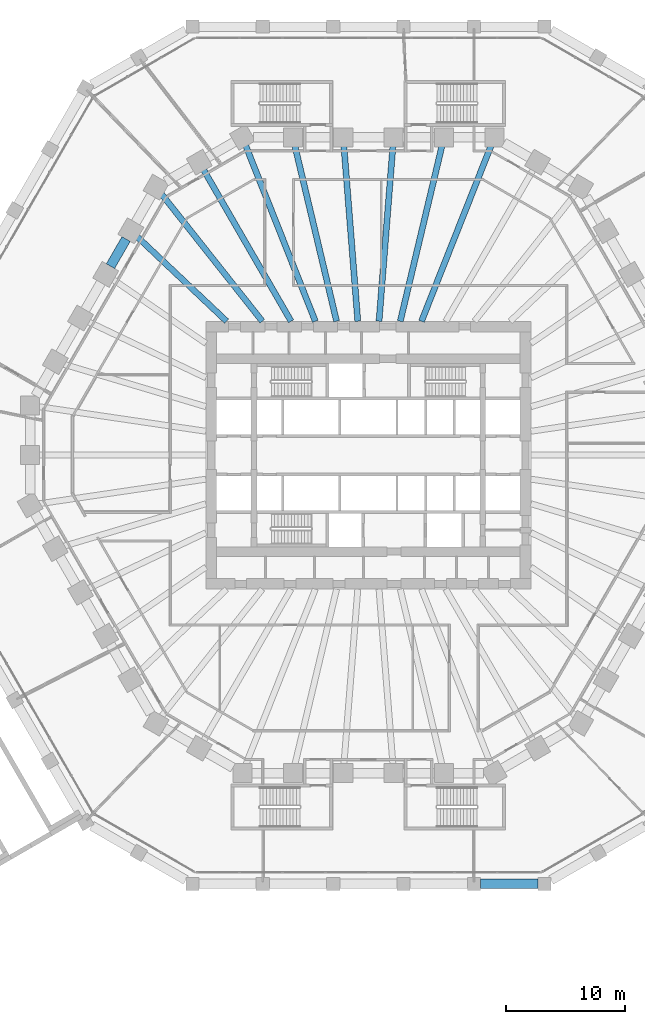
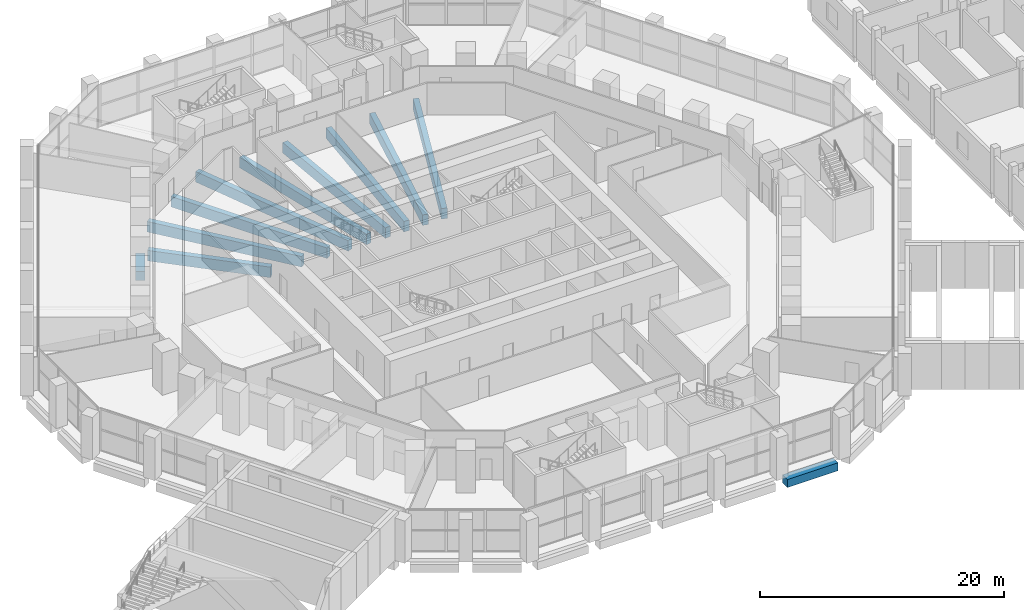
# One storey, part 6 of 38: 11 beams.
"""IFC4 building model written with IfcOpenShell, lengths in metres."""

from ifc_helpers import new_model, si_unit, direction, frame, origin, origin_2d, place, context, subcontext, project, spatial, rectangle, extrude, material, material_profile, profile_set, type_object, element, save


model = new_model("IFC4")

# Units and contexts
model_context = context("Model", 3, precision=1e-05, world=origin(), true_north=direction((0.0, 1.0)))
body_context = subcontext(model_context, "Body", "Model", "MODEL_VIEW")
ifc_project = project(units=[si_unit("LENGTHUNIT", "METRE"), si_unit("AREAUNIT", "SQUARE_METRE"), si_unit("VOLUMEUNIT", "CUBIC_METRE"), si_unit("PLANEANGLEUNIT", "RADIAN"), si_unit("MASSUNIT", "GRAM", prefix="KILO")], contexts=[model_context])

# Site, building, storey
site_placement = place(None, origin())
site = spatial("IfcSite", under=ifc_project, at=site_placement, CompositionType="ELEMENT")
building_placement = place(site_placement, origin())
building = spatial("IfcBuilding", under=site, at=building_placement, Name="Frailejon Research Tower", CompositionType="ELEMENT")
storey_placement = place(building_placement, frame((0.0, 0.0, 5.60009765625)))
storey = spatial("IfcBuildingStorey", under=building, at=storey_placement, Name="L01", CompositionType="ELEMENT", Elevation=5.60009765625)

# Beams
ifc_material_1 = material(Name="Concrete C60/75", Category="concrete")
ifc_material_profile_1 = material_profile(ifc_material_1, rectangle(XDim=0.800048828125, YDim=0.800048828125, at=origin_2d()), Name="Base ring beam")
ifc_profile_set_1 = profile_set([ifc_material_profile_1], Name="Concrete C60/75")
beam_type_1 = type_object("IfcBeamType", Name="Base ring beam", PredefinedType="BEAM", material=ifc_profile_set_1)
beam_1_placement = place(storey_placement, frame((9.4208984375, -36.0, -0.75), z_axis=(1.0, 0.0, 0.0), x_axis=(0.0, 1.0, 0.0)))
element("IfcBeam", 1, at=beam_1_placement, inside=storey, type_object=beam_type_1, Name="Base ring beam", PredefinedType="BEAM", context=body_context, shape_type="SweptSolid", body=[
    extrude(rectangle(XDim=0.800048828125, YDim=0.800048828125, at=origin_2d()), origin(), (0.0, 0.0, 1.0), 4.813720703125),
])
ifc_material_2 = material(Name="Concrete C60/75", Category="concrete")
ifc_material_profile_2 = material_profile(ifc_material_2, rectangle(XDim=0.5, YDim=1.050048828125, at=origin_2d()), Name="Girder 500x1050")
ifc_profile_set_2 = profile_set([ifc_material_profile_2], Name="Concrete C60/75")
beam_type_2 = type_object("IfcBeamType", Name="Girder 500x1050", PredefinedType="BEAM", material=ifc_profile_set_2)
beam_2_placement = place(storey_placement, frame((10.318115234375, 26.03955078125, -0.875), z_axis=(-0.368382887996, -0.929674162183, 0.0), x_axis=(0.929674162183, -0.368382887996, 0.0)))
element("IfcBeam", 2, at=beam_2_placement, inside=storey, type_object=beam_type_2, Name="Girder 500x1050", PredefinedType="BEAM", context=body_context, shape_type="SweptSolid", body=[
    extrude(rectangle(XDim=0.5, YDim=1.050048828125, at=origin_2d()), origin(), (0.0, 0.0, 1.0), 15.908203125),
])
beam_3_placement = place(storey_placement, frame((6.1923828125, 26.0458984375, -0.875), z_axis=(-0.23129352639, -0.972884013976, 0.0), x_axis=(0.972884013976, -0.23129352639, 0.0)))
element("IfcBeam", 3, at=beam_3_placement, inside=storey, type_object=beam_type_2, Name="Girder 500x1050", PredefinedType="BEAM", context=body_context, shape_type="SweptSolid", body=[
    extrude(rectangle(XDim=0.5, YDim=1.050048828125, at=origin_2d()), origin(), (0.0, 0.0, 1.0), 15.208251953125),
])
for number, where, z_axis, x_axis, name in (
    (4, (2.064453125, 26.049560546875, -0.875), (-0.079001387797, -0.996874506007, 0.0), (0.996874506007, -0.079001387797, 0.0), "Girder 500x1050"),
    (5, (-2.064453125, 26.049560546875, -0.875), (0.079001387797, -0.996874506007, 0.0), (0.996874506007, 0.079001387797, 0.0), "Girder 500x1050"),
):
    element("IfcBeam", number, at=place(storey_placement, frame(where, z_axis=z_axis, x_axis=x_axis)), inside=storey, type_object=beam_type_2, Name=name, PredefinedType="BEAM", context=body_context, shape_type="SweptSolid", body=[
        extrude(rectangle(XDim=0.5, YDim=1.050048828125, at=origin_2d()), origin(), (0.0, 0.0, 1.0), 14.845947265625),
    ])
beam_4_placement = place(storey_placement, frame((-6.1923828125, 26.0458984375, -0.875), z_axis=(0.23129352639, -0.972884013976, 0.0), x_axis=(0.972884013976, 0.23129352639, 0.0)))
element("IfcBeam", 6, at=beam_4_placement, inside=storey, type_object=beam_type_2, Name="Girder 500x1050", PredefinedType="BEAM", context=body_context, shape_type="SweptSolid", body=[
    extrude(rectangle(XDim=0.5, YDim=1.050048828125, at=origin_2d()), origin(), (0.0, 0.0, 1.0), 15.208251953125),
])
beam_5_placement = place(storey_placement, frame((-10.33740234375, 26.087646484375, -0.875), z_axis=(0.368395300595, -0.929669243602, 0.0), x_axis=(0.929669243602, 0.368395300595, 0.0)))
element("IfcBeam", 7, at=beam_5_placement, inside=storey, type_object=beam_type_2, Name="Girder 500x1050", PredefinedType="BEAM", context=body_context, shape_type="SweptSolid", body=[
    extrude(rectangle(XDim=0.5, YDim=1.050048828125, at=origin_2d()), origin(), (0.0, 0.0, 1.0), 15.960205078125),
])
beam_6_placement = place(storey_placement, frame((-13.88134765625, 24.043212890625, -0.875), z_axis=(0.500003328639, -0.866023481986, 0.0), x_axis=(0.866023481986, 0.500003328639, 0.0)))
element("IfcBeam", 8, at=beam_6_placement, inside=storey, type_object=beam_type_2, Name="Girder 500x1050", PredefinedType="BEAM", context=body_context, shape_type="SweptSolid", body=[
    extrude(rectangle(XDim=0.5, YDim=1.050048828125, at=origin_2d()), origin(), (0.0, 0.0, 1.0), 14.7724609375),
])
beam_7_placement = place(storey_placement, frame((-17.3916015625, 21.955322265625, -0.875), z_axis=(0.620924993475, -0.783869984422, 0.0), x_axis=(0.783869984422, 0.620924993475, 0.0)))
element("IfcBeam", 9, at=beam_7_placement, inside=storey, type_object=beam_type_2, Name="Girder 500x1050", PredefinedType="BEAM", context=body_context, shape_type="SweptSolid", body=[
    extrude(rectangle(XDim=0.5, YDim=1.050048828125, at=origin_2d()), origin(), (0.0, 0.0, 1.0), 13.656982421875),
])
beam_8_placement = place(storey_placement, frame((-19.460205078125, 18.3857421875, -0.875), z_axis=(0.72688803019, -0.686755991285, 0.0), x_axis=(0.686755991285, 0.72688803019, 0.0)))
element("IfcBeam", 10, at=beam_8_placement, inside=storey, type_object=beam_type_2, Name="Girder 500x1050", PredefinedType="BEAM", context=body_context, shape_type="SweptSolid", body=[
    extrude(rectangle(XDim=0.5, YDim=1.050048828125, at=origin_2d()), origin(), (0.0, 0.0, 1.0), 10.390625),
])
ifc_material_3 = material(Name="Concrete C60/75", Category="concrete")
ifc_material_profile_3 = material_profile(ifc_material_3, rectangle(XDim=0.800048828125, YDim=0.89990234375, at=origin_2d()), Name="Podium ring beam")
ifc_profile_set_3 = profile_set([ifc_material_profile_3], Name="Concrete C60/75")
beam_type_3 = type_object("IfcBeamType", Name="Podium ring beam", PredefinedType="BEAM", material=ifc_profile_set_3)
beam_9_placement = place(storey_placement, frame((-20.348876953125, 18.15478515625, -0.800048828125), z_axis=(-0.499949948743, -0.866054298963, 0.0), x_axis=(0.866054298963, -0.499949948743, 0.0)))
element("IfcBeam", 11, at=beam_9_placement, inside=storey, type_object=beam_type_3, Name="Podium ring beam", PredefinedType="BEAM", context=body_context, shape_type="SweptSolid", body=[
    extrude(rectangle(XDim=0.800048828125, YDim=0.89990234375, at=origin_2d()), origin(), (0.0, 0.0, 1.0), 2.632080078125),
])

save(model, "model.ifc")
